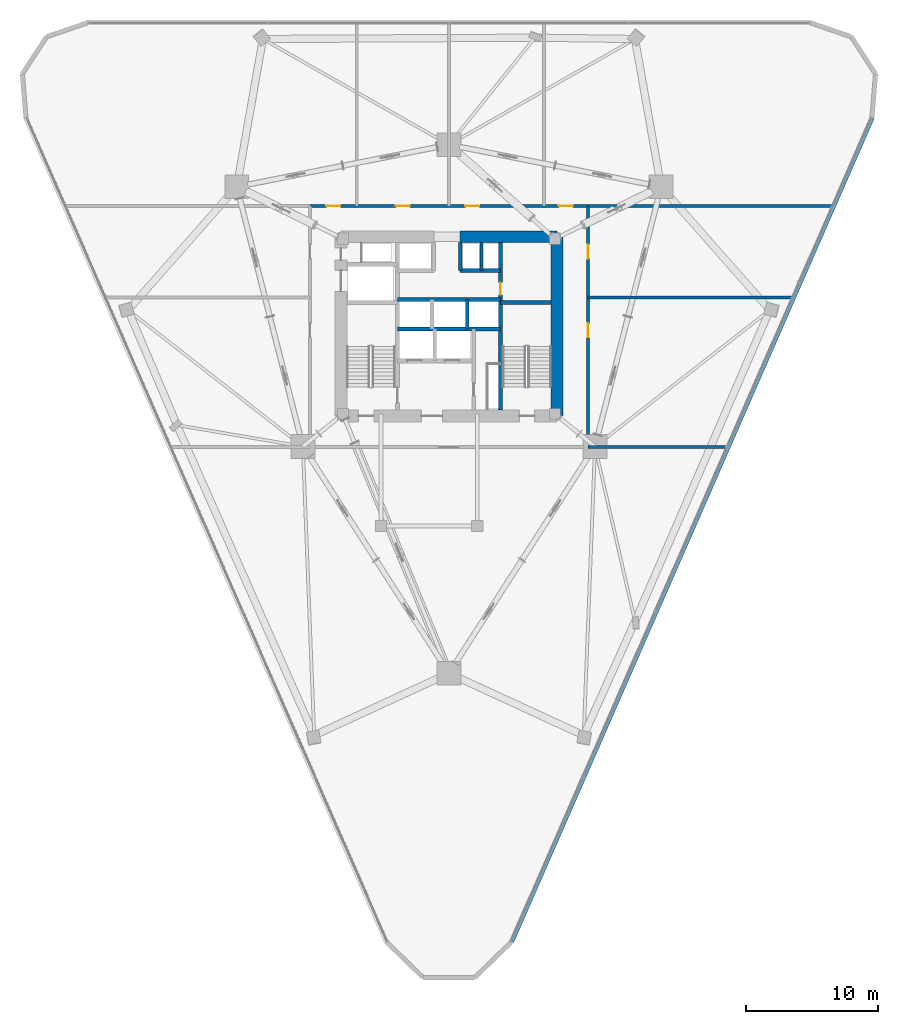
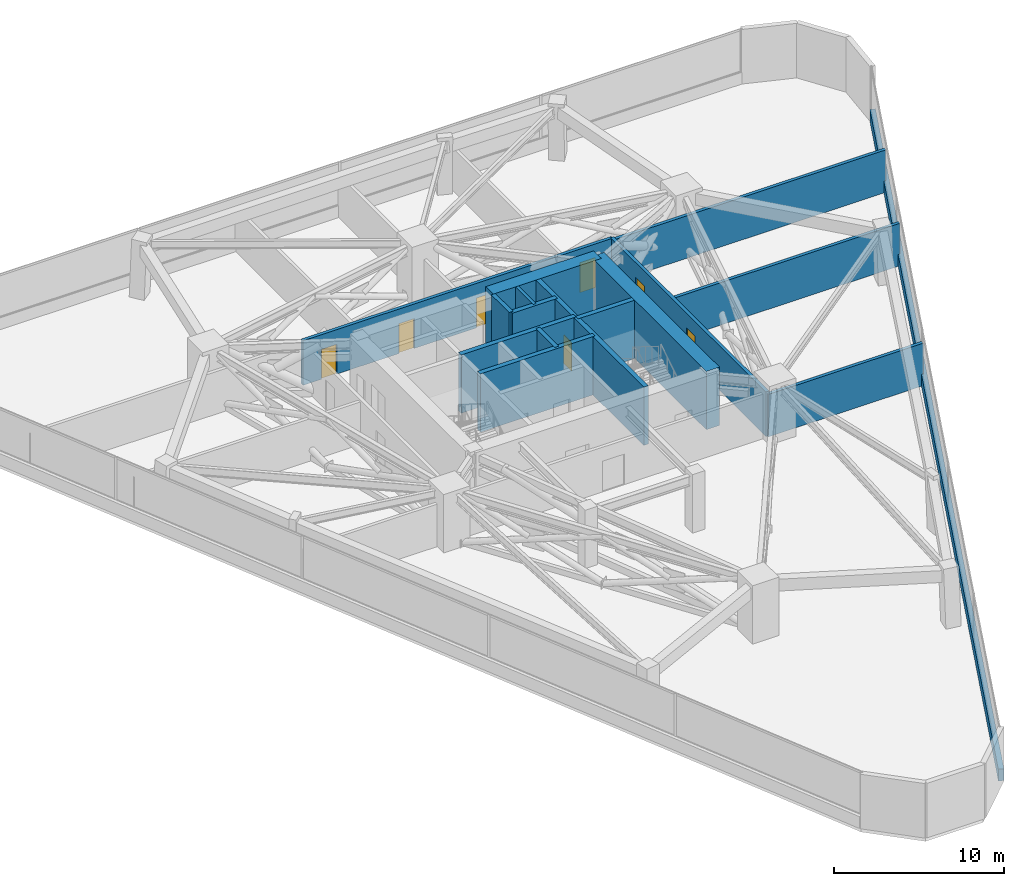
# One storey, part 18 of 20: 16 walls, 7 doors, 7 openings.
"""IFC4 building model written with IfcOpenShell, lengths in metres."""

from ifc_helpers import new_model, si_unit, direction, frame, frame_2d, origin, place, context, subcontext, project, spatial, rectangle, extrude, material, layer, layer_set, type_object, element, fill, save


model = new_model("IFC4")

# Units and contexts
model_context = context("Model", 3, precision=1e-05, world=origin(), true_north=direction((0.0, 1.0)))
body_context = subcontext(model_context, "Body", "Model", "MODEL_VIEW")
ifc_project = project(units=[si_unit("LENGTHUNIT", "METRE"), si_unit("AREAUNIT", "SQUARE_METRE"), si_unit("VOLUMEUNIT", "CUBIC_METRE"), si_unit("PLANEANGLEUNIT", "RADIAN"), si_unit("MASSUNIT", "GRAM", prefix="KILO")], contexts=[model_context])

# Site, building, storey
site_placement = place(None, origin())
site = spatial("IfcSite", under=ifc_project, at=site_placement, CompositionType="ELEMENT")
building_placement = place(site_placement, origin())
building = spatial("IfcBuilding", under=site, at=building_placement, Name="Talyreon Biosciences Tower", CompositionType="ELEMENT")
storey_placement = place(building_placement, frame((0.0, 0.0, 70.800048828125)))
storey = spatial("IfcBuildingStorey", under=building, at=storey_placement, Name="L18", CompositionType="ELEMENT", Elevation=70.800048828125)

# Walls
ifc_material_1 = material(Name="Concrete C50/60", Category="concrete")
ifc_layer_1 = layer(ifc_material_1, 0.219970703125)
ifc_layer_set_1 = layer_set([ifc_layer_1], Name="Concrete C50/60")
wall_type_1 = type_object("IfcWallType", Name="CoreShearWall_220", PredefinedType="SHEAR", material=ifc_layer_set_1)
wall_1_placement = place(storey_placement, frame((68.4599609375, 72.25, 0.0), z_axis=(0.0, 0.0, 1.0), x_axis=(0.0, 1.0, 0.0)))
element("IfcWall", 1, at=wall_1_placement, inside=storey, type_object=wall_type_1, Name="L18 Core Shaft Wall SWPHD", PredefinedType="SHEAR", context=body_context, shape_type="SweptSolid", body=[
    extrude(rectangle(XDim=2.10009765625, YDim=0.219970703125, at=frame_2d((1.050048828125, 0.0))), origin(), (0.0, 0.0, 1.0), 4.199951171875),
])
ifc_layer_2 = layer(ifc_material_1, 0.280029296875)
ifc_layer_set_2 = layer_set([ifc_layer_2], Name="Concrete C50/60")
wall_type_2 = type_object("IfcWallType", Name="CoreShearWall_280", PredefinedType="SHEAR", material=ifc_layer_set_2)
wall_2_placement = place(storey_placement, frame((66.85009765625, 72.25, 0.0), z_axis=(0.0, 0.0, 1.0), x_axis=(0.0, 1.0, 0.0)))
element("IfcWall", 2, at=wall_2_placement, inside=storey, type_object=wall_type_2, Name="L18 Core Shaft Wall SWTHE", PredefinedType="SHEAR", context=body_context, shape_type="SweptSolid", body=[
    extrude(rectangle(XDim=2.10009765625, YDim=0.280029296875, at=frame_2d((1.050048828125, 0.0))), origin(), (0.0, 0.0, 1.0), 4.199951171875),
])
wall_3_placement = place(storey_placement, frame((67.3798828125, 67.800048828125, 0.0), z_axis=(0.0, 0.0, 1.0), x_axis=(0.0, 1.0, 0.0)))
element("IfcWall", 3, at=wall_3_placement, inside=storey, type_object=wall_type_2, Name="L18 Core Shaft Wall SWPMD", PredefinedType="SHEAR", context=body_context, shape_type="SweptSolid", body=[
    extrude(rectangle(XDim=2.25, YDim=0.280029296875, at=frame_2d((1.125, 0.0))), origin(), (0.0, 0.0, 1.0), 4.199951171875),
])

# Wall, opening, door
ifc_layer_3 = layer(ifc_material_1, 0.320068359375)
ifc_layer_set_3 = layer_set([ifc_layer_3], Name="Concrete C50/60")
wall_type_3 = type_object("IfcWallType", Name="CoreShearWall_320", PredefinedType="SHEAR", material=ifc_layer_set_3)
wall_4_placement = place(storey_placement, frame((69.909912109375, 61.64990234375, 0.0), z_axis=(0.0, 0.0, 1.0), x_axis=(0.0, 1.0, 0.0)))
wall_4 = element("IfcWall", 4, at=wall_4_placement, inside=storey, type_object=wall_type_3, Name="L18 Core Shaft Wall SW2W", PredefinedType="SHEAR", context=body_context, shape_type="SweptSolid", body=[
    extrude(rectangle(XDim=12.7001953125, YDim=0.320068359375, at=frame_2d((6.35009765625, 0.0))), origin(), (0.0, 0.0, 1.0), 4.199951171875),
])
opening_1_placement = place(wall_4_placement, frame((8.75, 0.0, 0.0)))
opening_1 = element("IfcOpeningElement", 5, at=opening_1_placement, cuts=wall_4, Name="Opening DR-L18-CSRV", PredefinedType="OPENING", context=body_context, shape_type="SweptSolid", body=[
    extrude(rectangle(XDim=0.919921875, YDim=2.050048828125, at=frame_2d((0.4599609375, 1.02490234375))), frame((0.0, 0.169921875, 0.0), z_axis=(0.0, -1.0, 0.0), x_axis=(1.0, 0.0, 0.0)), (0.0, 0.0, 1.0), 0.340087890625),
])
ifc_material_2 = material(Name="Painted steel fire-rated riser door", Category="steel")
door_type_1 = type_object("IfcDoorType", Name="RiserPlantAccessDoor_920x2050", OperationType="NOTDEFINED", PredefinedType="DOOR", material=ifc_material_2)
door_1_placement = place(opening_1_placement, origin())
door_1 = element("IfcDoor", 6, at=door_1_placement, inside=storey, type_object=door_type_1, Name="L18 Core Door DR-L18-CSRV", OperationType="SINGLE_SWING_RIGHT", OverallHeight=2.050048828125, OverallWidth=0.919921875, PredefinedType="DOOR", context=body_context, shape_type="SweptSolid", body=[
    extrude(rectangle(XDim=0.919921875, YDim=2.050048828125, at=frame_2d((0.4599609375, 1.02490234375))), frame((0.0, 0.02490234375, 0.0), z_axis=(0.0, -1.0, 0.0), x_axis=(1.0, 0.0, 0.0)), (0.0, 0.0, 1.0), 0.050048828125),
])
fill(opening_1, door_1)

# Walls
wall_5_placement = place(storey_placement, frame((69.909912109375, 69.81005859375, 0.0), z_axis=(0.0, 0.0, 1.0), x_axis=(1.0, 0.0, 0.0)))
element("IfcWall", 7, at=wall_5_placement, inside=storey, type_object=wall_type_3, Name="L18 Core Shaft Wall SW2N", PredefinedType="SHEAR", context=body_context, shape_type="SweptSolid", body=[
    extrude(rectangle(XDim=3.840087890625, YDim=0.320068359375, at=frame_2d((1.919921875, 0.0))), origin(), (0.0, 0.0, 1.0), 4.199951171875),
])
for number, where, z_axis, x_axis, name in (
    (8, (62.090087890625, 67.800048828125, 0.0), (0.0, 0.0, 1.0), (1.0, 0.0, 0.0), "L18 Core Shaft Wall SWSHM"),
    (9, (62.090087890625, 70.050048828125, 0.0), (0.0, 0.0, 1.0), (1.0, 0.0, 0.0), "L18 Core Shaft Wall SWSPN"),
):
    element("IfcWall", number, at=place(storey_placement, frame(where, z_axis=z_axis, x_axis=x_axis)), inside=storey, type_object=wall_type_3, Name=name, PredefinedType="SHEAR", context=body_context, shape_type="SweptSolid", body=[
        extrude(rectangle(XDim=7.81982421875, YDim=0.320068359375, at=frame_2d((3.909912109375, 0.0))), origin(), (0.0, 0.0, 1.0), 4.199951171875),
    ])
wall_6_placement = place(storey_placement, frame((66.85009765625, 72.25, 0.0), z_axis=(0.0, 0.0, 1.0), x_axis=(1.0, 0.0, 0.0)))
element("IfcWall", 10, at=wall_6_placement, inside=storey, type_object=wall_type_3, Name="L18 Core Shaft Wall SWNPE", PredefinedType="SHEAR", context=body_context, shape_type="SweptSolid", body=[
    extrude(rectangle(XDim=3.059814453125, YDim=0.320068359375, at=frame_2d((1.52978515625, 0.0))), origin(), (0.0, 0.0, 1.0), 4.199951171875),
])
ifc_material_3 = material(Name="Concrete C60/75", Category="concrete")
ifc_layer_4 = layer(ifc_material_3, 0.89990234375)
ifc_layer_set_4 = layer_set([ifc_layer_4], Name="Concrete C60/75")
wall_type_4 = type_object("IfcWallType", Name="CoreShearWall_900", PredefinedType="SHEAR", material=ifc_layer_set_4)
wall_7_placement = place(storey_placement, frame((74.199951171875, 61.199951171875, 0.0), z_axis=(0.0, 0.0, 1.0), x_axis=(0.0, 1.0, 0.0)))
element("IfcWall", 11, at=wall_7_placement, inside=storey, type_object=wall_type_4, Name="L18 Core Shear Wall E", PredefinedType="SHEAR", context=body_context, shape_type="SweptSolid", body=[
    extrude(rectangle(XDim=13.60009765625, YDim=0.89990234375, at=frame_2d((6.800048828125, 0.0))), origin(), (0.0, 0.0, 1.0), 4.199951171875),
])
wall_8_placement = place(storey_placement, frame((74.199951171875, 74.800048828125, 0.0), z_axis=(0.0, 0.0, 1.0), x_axis=(-1.0, 0.0, 0.0)))
element("IfcWall", 12, at=wall_8_placement, inside=storey, type_object=wall_type_4, Name="L18 Core Shear Wall NE", PredefinedType="SHEAR", context=body_context, shape_type="SweptSolid", body=[
    extrude(rectangle(XDim=7.349853515625, YDim=0.89990234375, at=frame_2d((3.6748046875, 0.0))), origin(), (0.0, 0.0, 1.0), 4.199951171875),
])
ifc_material_4 = material(Name="Gypsum fireboard acoustic stud", Category="gypsum")
ifc_layer_5 = layer(ifc_material_4, 0.219970703125)
ifc_layer_set_5 = layer_set([ifc_layer_5], Name="Gypsum fireboard acoustic stud")
wall_type_5 = type_object("IfcWallType", Name="CorridorRatedPartition_220", PredefinedType="PARTITIONING", material=ifc_layer_set_5)
wall_9_placement = place(storey_placement, frame((76.550048828125, 77.14990234375, 0.0), z_axis=(0.0, 0.0, 1.0), x_axis=(1.0, 0.0, 0.0)))
element("IfcWall", 13, at=wall_9_placement, inside=storey, type_object=wall_type_5, Name="L18 Interior Wall IW-L18-NDIV-NE", PredefinedType="PARTITIONING", context=body_context, shape_type="SweptSolid", body=[
    extrude(rectangle(XDim=18.560546875, YDim=0.219970703125, at=frame_2d((9.2802734375, 0.0))), origin(), (0.0, 0.0, 1.0), 3.054931640625),
])
wall_10_placement = place(storey_placement, frame((76.550048828125, 70.199951171875, 0.0), z_axis=(0.0, 0.0, 1.0), x_axis=(1.0, 0.0, 0.0)))
element("IfcWall", 14, at=wall_10_placement, inside=storey, type_object=wall_type_5, Name="L18 Interior Wall IW-L18-ED1", PredefinedType="PARTITIONING", context=body_context, shape_type="SweptSolid", body=[
    extrude(rectangle(XDim=15.519775390625, YDim=0.219970703125, at=frame_2d((7.759765625, 0.0))), origin(), (0.0, 0.0, 1.0), 3.054931640625),
])
wall_11_placement = place(storey_placement, frame((76.550048828125, 58.85009765625, 0.0), z_axis=(0.0, 0.0, 1.0), x_axis=(1.0, 0.0, 0.0)))
element("IfcWall", 15, at=wall_11_placement, inside=storey, type_object=wall_type_5, Name="L18 Interior Wall IW-L18-PDIV-SE", PredefinedType="PARTITIONING", context=body_context, shape_type="SweptSolid", body=[
    extrude(rectangle(XDim=10.553955078125, YDim=0.219970703125, at=frame_2d((5.27685546875, 0.0))), origin(), (0.0, 0.0, 1.0), 3.054931640625),
])

# Wall, openings, doors
wall_12_placement = place(storey_placement, frame((76.550048828125, 58.85009765625, 0.0), z_axis=(0.0, 0.0, 1.0), x_axis=(0.0, 1.0, 0.0)))
wall_12 = element("IfcWall", 16, at=wall_12_placement, inside=storey, type_object=wall_type_5, Name="L18 Interior Wall IW-L18-PC-E", PredefinedType="PARTITIONING", context=body_context, shape_type="SweptSolid", body=[
    extrude(rectangle(XDim=18.2998046875, YDim=0.219970703125, at=frame_2d((9.14990234375, 0.0))), origin(), (0.0, 0.0, 1.0), 3.204833984375),
])
opening_2_placement = place(wall_12_placement, frame((8.321044921875, 0.0, 0.0)))
opening_2 = element("IfcOpeningElement", 17, at=opening_2_placement, cuts=wall_12, Name="Opening DR-L18-PL-EB", PredefinedType="OPENING", context=body_context, shape_type="SweptSolid", body=[
    extrude(rectangle(XDim=1.050048828125, YDim=2.14990234375, at=frame_2d((0.52490234375, 1.074951171875))), frame((0.0, 0.119873046875, 0.0), z_axis=(0.0, -1.0, 0.0), x_axis=(1.0, 0.0, 0.0)), (0.0, 0.0, 1.0), 0.239990234375),
])
opening_3_placement = place(wall_12_placement, frame((14.300048828125, 0.0, 0.0)))
opening_3 = element("IfcOpeningElement", 18, at=opening_3_placement, cuts=wall_12, Name="Opening DR-L18-PL-EA", PredefinedType="OPENING", context=body_context, shape_type="SweptSolid", body=[
    extrude(rectangle(XDim=1.050048828125, YDim=2.14990234375, at=frame_2d((0.52490234375, 1.074951171875))), frame((0.0, 0.119873046875, 0.0), z_axis=(0.0, -1.0, 0.0), x_axis=(1.0, 0.0, 0.0)), (0.0, 0.0, 1.0), 0.239990234375),
])
ifc_material_5 = material(Name="Acoustic timber-core laboratory door", Category="wood")
door_type_2 = type_object("IfcDoorType", Name="DryLabSingleDoor_1050x2150", OperationType="NOTDEFINED", PredefinedType="DOOR", material=ifc_material_5)
door_2_placement = place(opening_2_placement, origin())
door_2 = element("IfcDoor", 19, at=door_2_placement, inside=storey, type_object=door_type_2, Name="L18 Interior Door DR-L18-PL-EB", OperationType="SINGLE_SWING_LEFT", OverallHeight=2.14990234375, OverallWidth=1.050048828125, PredefinedType="DOOR", context=body_context, shape_type="SweptSolid", body=[
    extrude(rectangle(XDim=1.050048828125, YDim=2.14990234375, at=frame_2d((0.52490234375, 1.074951171875))), frame((0.0, 0.02490234375, 0.0), z_axis=(0.0, -1.0, 0.0), x_axis=(1.0, 0.0, 0.0)), (0.0, 0.0, 1.0), 0.050048828125),
])
fill(opening_2, door_2)
door_3_placement = place(opening_3_placement, origin())
door_3 = element("IfcDoor", 20, at=door_3_placement, inside=storey, type_object=door_type_2, Name="L18 Interior Door DR-L18-PL-EA", OperationType="SINGLE_SWING_LEFT", OverallHeight=2.14990234375, OverallWidth=1.050048828125, PredefinedType="DOOR", context=body_context, shape_type="SweptSolid", body=[
    extrude(rectangle(XDim=1.050048828125, YDim=2.14990234375, at=frame_2d((0.52490234375, 1.074951171875))), frame((0.0, 0.02490234375, 0.0), z_axis=(0.0, -1.0, 0.0), x_axis=(1.0, 0.0, 0.0)), (0.0, 0.0, 1.0), 0.050048828125),
])
fill(opening_3, door_3)

wall_13_placement = place(storey_placement, frame((55.449951171875, 77.14990234375, 0.0), z_axis=(0.0, 0.0, 1.0), x_axis=(1.0, 0.0, 0.0)))
wall_13 = element("IfcWall", 21, at=wall_13_placement, inside=storey, type_object=wall_type_5, Name="L18 Interior Wall IW-L18-PC-N", PredefinedType="PARTITIONING", context=body_context, shape_type="SweptSolid", body=[
    extrude(rectangle(XDim=21.10009765625, YDim=0.219970703125, at=frame_2d((10.550048828125, 0.0))), origin(), (0.0, 0.0, 1.0), 3.204833984375),
])
opening_4_placement = place(wall_13_placement, frame((1.25, 0.0, 0.0)))
opening_4 = element("IfcOpeningElement", 22, at=opening_4_placement, cuts=wall_13, Name="Opening DR-L18-PL-NWA", PredefinedType="OPENING", context=body_context, shape_type="SweptSolid", body=[
    extrude(rectangle(XDim=1.050048828125, YDim=2.14990234375, at=frame_2d((0.52490234375, 1.074951171875))), frame((0.0, 0.119873046875, 0.0), z_axis=(0.0, -1.0, 0.0), x_axis=(1.0, 0.0, 0.0)), (0.0, 0.0, 1.0), 0.239990234375),
])
opening_5_placement = place(wall_13_placement, frame((6.52490234375, 0.0, 0.0)))
opening_5 = element("IfcOpeningElement", 23, at=opening_5_placement, cuts=wall_13, Name="Opening DR-L18-PL-NWB", PredefinedType="OPENING", context=body_context, shape_type="SweptSolid", body=[
    extrude(rectangle(XDim=1.050048828125, YDim=2.14990234375, at=frame_2d((0.52490234375, 1.074951171875))), frame((0.0, 0.119873046875, 0.0), z_axis=(0.0, -1.0, 0.0), x_axis=(1.0, 0.0, 0.0)), (0.0, 0.0, 1.0), 0.239990234375),
])
opening_6_placement = place(wall_13_placement, frame((11.801025390625, 0.0, 0.0)))
opening_6 = element("IfcOpeningElement", 24, at=opening_6_placement, cuts=wall_13, Name="Opening DR-L18-PL-NEA", PredefinedType="OPENING", context=body_context, shape_type="SweptSolid", body=[
    extrude(rectangle(XDim=1.050048828125, YDim=2.14990234375, at=frame_2d((0.52490234375, 1.074951171875))), frame((0.0, 0.119873046875, 0.0), z_axis=(0.0, -1.0, 0.0), x_axis=(1.0, 0.0, 0.0)), (0.0, 0.0, 1.0), 0.239990234375),
])
opening_7_placement = place(wall_13_placement, frame((18.89990234375, 0.0, 0.0)))
opening_7 = element("IfcOpeningElement", 25, at=opening_7_placement, cuts=wall_13, Name="Opening DR-L18-PL-NEB", PredefinedType="OPENING", context=body_context, shape_type="SweptSolid", body=[
    extrude(rectangle(XDim=1.050048828125, YDim=2.14990234375, at=frame_2d((0.52490234375, 1.074951171875))), frame((0.0, 0.119873046875, 0.0), z_axis=(0.0, -1.0, 0.0), x_axis=(1.0, 0.0, 0.0)), (0.0, 0.0, 1.0), 0.239990234375),
])
door_4_placement = place(opening_4_placement, origin())
door_4 = element("IfcDoor", 26, at=door_4_placement, inside=storey, type_object=door_type_2, Name="L18 Interior Door DR-L18-PL-NWA", OperationType="SINGLE_SWING_RIGHT", OverallHeight=2.14990234375, OverallWidth=1.050048828125, PredefinedType="DOOR", context=body_context, shape_type="SweptSolid", body=[
    extrude(rectangle(XDim=1.050048828125, YDim=2.14990234375, at=frame_2d((0.52490234375, 1.074951171875))), frame((0.0, 0.02490234375, 0.0), z_axis=(0.0, -1.0, 0.0), x_axis=(1.0, 0.0, 0.0)), (0.0, 0.0, 1.0), 0.050048828125),
])
fill(opening_4, door_4)
door_5_placement = place(opening_5_placement, origin())
door_5 = element("IfcDoor", 27, at=door_5_placement, inside=storey, type_object=door_type_2, Name="L18 Interior Door DR-L18-PL-NWB", OperationType="SINGLE_SWING_LEFT", OverallHeight=2.14990234375, OverallWidth=1.050048828125, PredefinedType="DOOR", context=body_context, shape_type="SweptSolid", body=[
    extrude(rectangle(XDim=1.050048828125, YDim=2.14990234375, at=frame_2d((0.52490234375, 1.074951171875))), frame((0.0, 0.02490234375, 0.0), z_axis=(0.0, -1.0, 0.0), x_axis=(1.0, 0.0, 0.0)), (0.0, 0.0, 1.0), 0.050048828125),
])
fill(opening_5, door_5)
door_6_placement = place(opening_6_placement, origin())
door_6 = element("IfcDoor", 28, at=door_6_placement, inside=storey, type_object=door_type_2, Name="L18 Interior Door DR-L18-PL-NEA", OperationType="SINGLE_SWING_RIGHT", OverallHeight=2.14990234375, OverallWidth=1.050048828125, PredefinedType="DOOR", context=body_context, shape_type="SweptSolid", body=[
    extrude(rectangle(XDim=1.050048828125, YDim=2.14990234375, at=frame_2d((0.52490234375, 1.074951171875))), frame((0.0, 0.02490234375, 0.0), z_axis=(0.0, -1.0, 0.0), x_axis=(1.0, 0.0, 0.0)), (0.0, 0.0, 1.0), 0.050048828125),
])
fill(opening_6, door_6)
door_7_placement = place(opening_7_placement, origin())
door_7 = element("IfcDoor", 29, at=door_7_placement, inside=storey, type_object=door_type_2, Name="L18 Interior Door DR-L18-PL-NEB", OperationType="SINGLE_SWING_RIGHT", OverallHeight=2.14990234375, OverallWidth=1.050048828125, PredefinedType="DOOR", context=body_context, shape_type="SweptSolid", body=[
    extrude(rectangle(XDim=1.050048828125, YDim=2.14990234375, at=frame_2d((0.52490234375, 1.074951171875))), frame((0.0, 0.02490234375, 0.0), z_axis=(0.0, -1.0, 0.0), x_axis=(1.0, 0.0, 0.0)), (0.0, 0.0, 1.0), 0.050048828125),
])
fill(opening_7, door_7)

# Wall
ifc_material_6 = material(Name="Precast concrete C45/55", Category="concrete")
ifc_layer_6 = layer(ifc_material_6, 0.340087890625)
ifc_layer_set_6 = layer_set([ifc_layer_6], Name="Precast concrete C45/55")
wall_type_6 = type_object("IfcWallType", Name="PrecastConcreteSpandrelWall_340", PredefinedType="STANDARD", material=ifc_layer_set_6)
wall_14_placement = place(storey_placement, frame((98.114013671875, 83.802734375, 0.0), z_axis=(0.0, 0.0, 1.0), x_axis=(-0.400832536075, -0.916151340131, 0.0)))
element("IfcWall", 30, at=wall_14_placement, inside=storey, type_object=wall_type_6, Name="L18 Expressed Concrete Sill Wall 08", PredefinedType="STANDARD", context=body_context, shape_type="SweptSolid", body=[
    extrude(rectangle(XDim=68.233154296875, YDim=0.340087890625, at=frame_2d((34.11669921875, 0.0))), origin(), (0.0, 0.0, 1.0), 0.849853515625),
])

save(model, "model.ifc")
